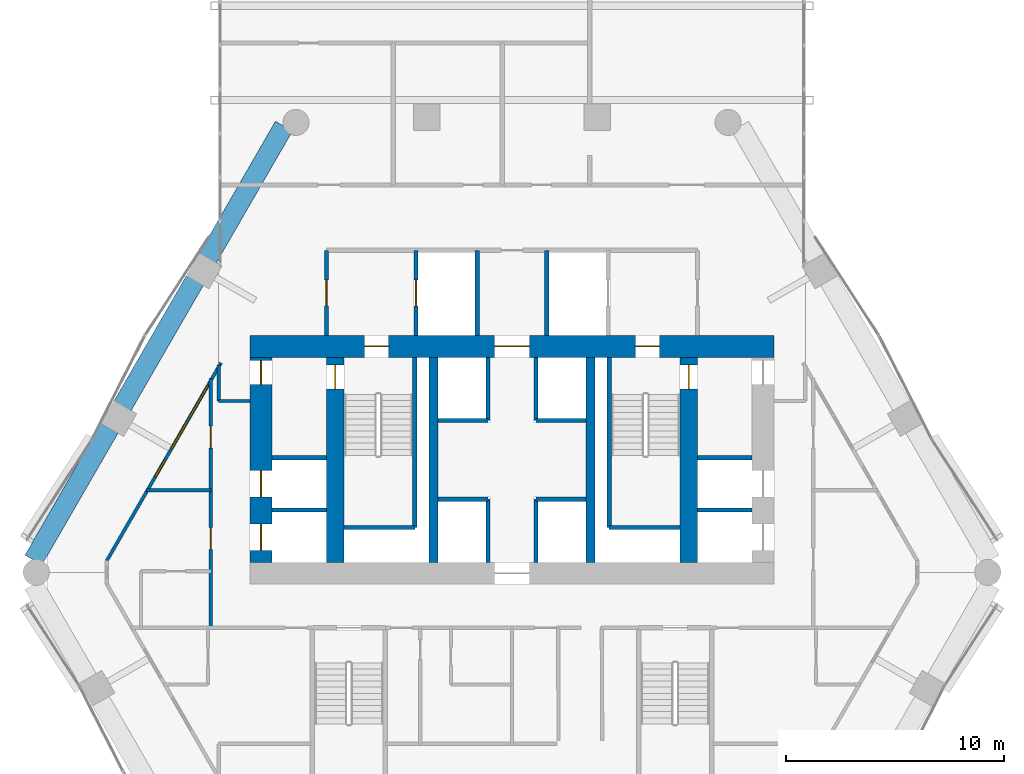
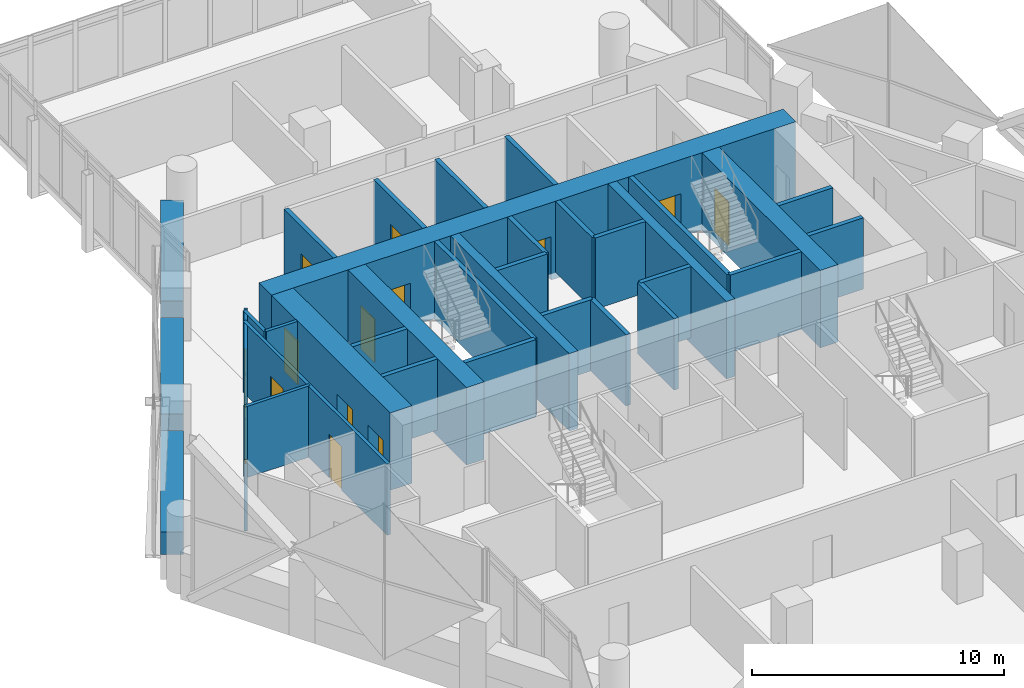
# One storey, part 29 of 36: 34 walls, 12 doors, 3 windows, 15 openings.
"""IFC4 building model written with IfcOpenShell, lengths in metres."""

from ifc_helpers import new_model, si_unit, direction, frame, frame_2d, origin, place, context, subcontext, project, spatial, rectangle, extrude, material, layer, layer_set, type_object, element, fill, save


model = new_model("IFC4")

# Units and contexts
model_context = context("Model", 3, precision=1e-05, world=origin(), true_north=direction((0.0, 1.0)))
body_context = subcontext(model_context, "Body", "Model", "MODEL_VIEW")
ifc_project = project(units=[si_unit("LENGTHUNIT", "METRE"), si_unit("AREAUNIT", "SQUARE_METRE"), si_unit("VOLUMEUNIT", "CUBIC_METRE"), si_unit("PLANEANGLEUNIT", "RADIAN"), si_unit("MASSUNIT", "GRAM", prefix="KILO")], contexts=[model_context])

# Site, building, storey
site_placement = place(None, origin())
site = spatial("IfcSite", under=ifc_project, at=site_placement, CompositionType="ELEMENT")
building_placement = place(site_placement, origin())
building = spatial("IfcBuilding", under=site, at=building_placement, Name="Ostrander Bayou Hotel Tower", CompositionType="ELEMENT")
storey_placement = place(building_placement, frame((0.0, 0.0, 138.5)))
storey = spatial("IfcBuildingStorey", under=building, at=storey_placement, Name="L34", CompositionType="ELEMENT", Elevation=138.5)

# Wall, openings, doors
ifc_material_1 = material(Name="Concrete f'c 70 MPa", Category="concrete")
ifc_layer_1 = layer(ifc_material_1, 1.0)
ifc_layer_set_1 = layer_set([ifc_layer_1], Name="CW4 core wall 1000 mm f'c 70 MPa")
wall_type_1 = type_object("IfcWallType", Name="CW4 core wall 1000 mm f'c 70 MPa", PredefinedType="SHEAR", material=ifc_layer_set_1)
wall_1_placement = place(storey_placement, frame((-12.0, 9.199951171875, -0.300048828125), z_axis=(0.0, 0.0, 1.0), x_axis=(1.0, 0.0, 0.0)))
wall_1 = element("IfcWall", 1, at=wall_1_placement, inside=storey, type_object=wall_type_1, Name="CW4 L34 N", PredefinedType="SHEAR", context=body_context, shape_type="SweptSolid", body=[
    extrude(rectangle(XDim=24.0, YDim=1.0, at=frame_2d((12.0, 0.0))), origin(), (0.0, 0.0, 1.0), 3.75),
])
opening_1_placement = place(wall_1_placement, frame((11.199951171875, 0.0, 0.0)))
opening_1 = element("IfcOpeningElement", 2, at=opening_1_placement, cuts=wall_1, Name="Opening T34-002", PredefinedType="OPENING", context=body_context, shape_type="SweptSolid", body=[
    extrude(rectangle(XDim=1.60009765625, YDim=2.10009765625, at=frame_2d((0.800048828125, 1.050048828125))), frame((0.0, 0.5, 0.0), z_axis=(0.0, -1.0, 0.0), x_axis=(1.0, 0.0, 0.0)), (0.0, 0.0, 1.0), 1.0),
])
opening_2_placement = place(wall_1_placement, frame((5.25, 0.0, 0.0)))
opening_2 = element("IfcOpeningElement", 3, at=opening_2_placement, cuts=wall_1, Name="Opening T34-003", PredefinedType="OPENING", context=body_context, shape_type="SweptSolid", body=[
    extrude(rectangle(XDim=1.10009765625, YDim=2.10009765625, at=frame_2d((0.550048828125, 1.050048828125))), frame((0.0, 0.5, 0.0), z_axis=(0.0, -1.0, 0.0), x_axis=(1.0, 0.0, 0.0)), (0.0, 0.0, 1.0), 1.0),
])
opening_3_placement = place(wall_1_placement, frame((17.64990234375, 0.0, 0.0)))
opening_3 = element("IfcOpeningElement", 4, at=opening_3_placement, cuts=wall_1, Name="Opening T34-005", PredefinedType="OPENING", context=body_context, shape_type="SweptSolid", body=[
    extrude(rectangle(XDim=1.10009765625, YDim=2.10009765625, at=frame_2d((0.550048828125, 1.050048828125))), frame((0.0, 0.5, 0.0), z_axis=(0.0, -1.0, 0.0), x_axis=(1.0, 0.0, 0.0)), (0.0, 0.0, 1.0), 1.0),
])
ifc_material_2 = material(Name="Timber door leaf", Category="wood")
door_type_1 = type_object("IfcDoorType", Name="D13 double door 1600 x 2100 mm, 1 hour", OperationType="SINGLE_SWING_LEFT", PredefinedType="DOOR", material=ifc_material_2)
door_1_placement = place(opening_1_placement, origin())
door_1 = element("IfcDoor", 5, at=door_1_placement, inside=storey, type_object=door_type_1, Name="dr:L34:002", OperationType="DOUBLE_DOOR_SINGLE_SWING", OverallHeight=2.10009765625, OverallWidth=1.60009765625, PredefinedType="DOOR", context=body_context, shape_type="SweptSolid", body=[
    extrude(rectangle(XDim=1.60009765625, YDim=2.10009765625, at=frame_2d((0.800048828125, 1.050048828125))), frame((0.0, 0.02490234375, 0.0), z_axis=(0.0, -1.0, 0.0), x_axis=(1.0, 0.0, 0.0)), (0.0, 0.0, 1.0), 0.050048828125),
])
fill(opening_1, door_1)
ifc_material_3 = material(Name="Timber door leaf", Category="wood")
door_type_2 = type_object("IfcDoorType", Name="D5 stair door 1100 x 2100 mm, 90 minute", OperationType="SINGLE_SWING_LEFT", PredefinedType="DOOR", material=ifc_material_3)
door_2_placement = place(opening_2_placement, origin())
door_2 = element("IfcDoor", 6, at=door_2_placement, inside=storey, type_object=door_type_2, Name="dr:L34:003", OperationType="SINGLE_SWING_LEFT", OverallHeight=2.10009765625, OverallWidth=1.10009765625, PredefinedType="DOOR", context=body_context, shape_type="SweptSolid", body=[
    extrude(rectangle(XDim=1.10009765625, YDim=2.10009765625, at=frame_2d((0.550048828125, 1.050048828125))), frame((0.0, 0.02490234375, 0.0), z_axis=(0.0, -1.0, 0.0), x_axis=(1.0, 0.0, 0.0)), (0.0, 0.0, 1.0), 0.050048828125),
])
fill(opening_2, door_2)
door_3_placement = place(opening_3_placement, origin())
door_3 = element("IfcDoor", 7, at=door_3_placement, inside=storey, type_object=door_type_2, Name="dr:L34:005", OperationType="SINGLE_SWING_RIGHT", OverallHeight=2.10009765625, OverallWidth=1.10009765625, PredefinedType="DOOR", context=body_context, shape_type="SweptSolid", body=[
    extrude(rectangle(XDim=1.10009765625, YDim=2.10009765625, at=frame_2d((0.550048828125, 1.050048828125))), frame((0.0, 0.02490234375, 0.0), z_axis=(0.0, -1.0, 0.0), x_axis=(1.0, 0.0, 0.0)), (0.0, 0.0, 1.0), 0.050048828125),
])
fill(opening_3, door_3)

wall_2_placement = place(storey_placement, frame((-11.5, -0.699951171875, -0.300048828125), z_axis=(0.0, 0.0, 1.0), x_axis=(0.0, 1.0, 0.0)))
wall_2 = element("IfcWall", 8, at=wall_2_placement, inside=storey, type_object=wall_type_1, Name="CW4 L34 RW", PredefinedType="SHEAR", context=body_context, shape_type="SweptSolid", body=[
    extrude(rectangle(XDim=9.39990234375, YDim=1.0, at=frame_2d((4.699951171875, 0.0))), origin(), (0.0, 0.0, 1.0), 3.75),
])
opening_4_placement = place(wall_2_placement, frame((8.14990234375, 0.0, 0.0)))
opening_4 = element("IfcOpeningElement", 9, at=opening_4_placement, cuts=wall_2, Name="Opening T34-014", PredefinedType="OPENING", context=body_context, shape_type="SweptSolid", body=[
    extrude(rectangle(XDim=1.10009765625, YDim=2.10009765625, at=frame_2d((0.550048828125, 1.050048828125))), frame((0.0, 0.5, 0.0), z_axis=(0.0, -1.0, 0.0), x_axis=(1.0, 0.0, 0.0)), (0.0, 0.0, 1.0), 1.0),
])
opening_5_placement = place(wall_2_placement, frame((0.550048828125, 0.0, 0.0)))
opening_5 = element("IfcOpeningElement", 10, at=opening_5_placement, cuts=wall_2, Name="Opening T34-015", PredefinedType="OPENING", context=body_context, shape_type="SweptSolid", body=[
    extrude(rectangle(XDim=1.199951171875, YDim=2.10009765625, at=frame_2d((0.60009765625, 1.050048828125))), frame((0.0, 0.5, 0.0), z_axis=(0.0, -1.0, 0.0), x_axis=(1.0, 0.0, 0.0)), (0.0, 0.0, 1.0), 1.0),
])
opening_6_placement = place(wall_2_placement, frame((3.0, 0.0, 0.0)))
opening_6 = element("IfcOpeningElement", 11, at=opening_6_placement, cuts=wall_2, Name="Opening T34-016", PredefinedType="OPENING", context=body_context, shape_type="SweptSolid", body=[
    extrude(rectangle(XDim=1.199951171875, YDim=2.10009765625, at=frame_2d((0.60009765625, 1.050048828125))), frame((0.0, 0.5, 0.0), z_axis=(0.0, -1.0, 0.0), x_axis=(1.0, 0.0, 0.0)), (0.0, 0.0, 1.0), 1.0),
])
door_4_placement = place(opening_4_placement, origin())
door_4 = element("IfcDoor", 12, at=door_4_placement, inside=storey, type_object=door_type_2, Name="dr:L34:014", OperationType="SINGLE_SWING_LEFT", OverallHeight=2.10009765625, OverallWidth=1.10009765625, PredefinedType="DOOR", context=body_context, shape_type="SweptSolid", body=[
    extrude(rectangle(XDim=1.10009765625, YDim=2.10009765625, at=frame_2d((0.550048828125, 1.050048828125))), frame((0.0, 0.02490234375, 0.0), z_axis=(0.0, -1.0, 0.0), x_axis=(1.0, 0.0, 0.0)), (0.0, 0.0, 1.0), 0.050048828125),
])
fill(opening_4, door_4)
ifc_material_4 = material(Name="Stainless steel sliding door", Category="steel")
door_type_3 = type_object("IfcDoorType", Name="LD1 lift landing door 1200 x 2100 mm", OperationType="SINGLE_SWING_LEFT", PredefinedType="DOOR", material=ifc_material_4)
door_5_placement = place(opening_5_placement, origin())
door_5 = element("IfcDoor", 13, at=door_5_placement, inside=storey, type_object=door_type_3, Name="dr:L34:015", OperationType="SLIDING_TO_LEFT", OverallHeight=2.10009765625, OverallWidth=1.199951171875, PredefinedType="DOOR", context=body_context, shape_type="SweptSolid", body=[
    extrude(rectangle(XDim=1.199951171875, YDim=2.10009765625, at=frame_2d((0.60009765625, 1.050048828125))), frame((0.0, 0.02490234375, 0.0), z_axis=(0.0, -1.0, 0.0), x_axis=(1.0, 0.0, 0.0)), (0.0, 0.0, 1.0), 0.050048828125),
])
fill(opening_5, door_5)
door_6_placement = place(opening_6_placement, origin())
door_6 = element("IfcDoor", 14, at=door_6_placement, inside=storey, type_object=door_type_3, Name="dr:L34:016", OperationType="SLIDING_TO_LEFT", OverallHeight=2.10009765625, OverallWidth=1.199951171875, PredefinedType="DOOR", context=body_context, shape_type="SweptSolid", body=[
    extrude(rectangle(XDim=1.199951171875, YDim=2.10009765625, at=frame_2d((0.60009765625, 1.050048828125))), frame((0.0, 0.02490234375, 0.0), z_axis=(0.0, -1.0, 0.0), x_axis=(1.0, 0.0, 0.0)), (0.0, 0.0, 1.0), 0.050048828125),
])
fill(opening_6, door_6)

# Wall, opening, door
ifc_material_5 = material(Name="Concrete f'c 70 MPa", Category="concrete")
ifc_layer_2 = layer(ifc_material_5, 0.800048828125)
ifc_layer_set_2 = layer_set([ifc_layer_2], Name="CW5 core spine wall 800 mm f'c 70 MPa")
wall_type_2 = type_object("IfcWallType", Name="CW5 core spine wall 800 mm f'c 70 MPa", PredefinedType="SHEAR", material=ifc_layer_set_2)
wall_3_placement = place(storey_placement, frame((-8.10009765625, -0.699951171875, -0.300048828125), z_axis=(0.0, 0.0, 1.0), x_axis=(0.0, 1.0, 0.0)))
wall_3 = element("IfcWall", 15, at=wall_3_placement, inside=storey, type_object=wall_type_2, Name="CW5 L34 W", PredefinedType="SHEAR", context=body_context, shape_type="SweptSolid", body=[
    extrude(rectangle(XDim=9.39990234375, YDim=0.800048828125, at=frame_2d((4.699951171875, 0.0))), origin(), (0.0, 0.0, 1.0), 3.75),
])
opening_7_placement = place(wall_3_placement, frame((7.949951171875, 0.0, 0.0)))
opening_7 = element("IfcOpeningElement", 16, at=opening_7_placement, cuts=wall_3, Name="Opening T34-004", PredefinedType="OPENING", context=body_context, shape_type="SweptSolid", body=[
    extrude(rectangle(XDim=1.10009765625, YDim=2.10009765625, at=frame_2d((0.550048828125, 1.050048828125))), frame((0.0, 0.39990234375, 0.0), z_axis=(0.0, -1.0, 0.0), x_axis=(1.0, 0.0, 0.0)), (0.0, 0.0, 1.0), 0.800048828125),
])
door_7_placement = place(opening_7_placement, origin())
door_7 = element("IfcDoor", 17, at=door_7_placement, inside=storey, type_object=door_type_2, Name="dr:L34:004", OperationType="SINGLE_SWING_RIGHT", OverallHeight=2.10009765625, OverallWidth=1.10009765625, PredefinedType="DOOR", context=body_context, shape_type="SweptSolid", body=[
    extrude(rectangle(XDim=1.10009765625, YDim=2.10009765625, at=frame_2d((0.550048828125, 1.050048828125))), frame((0.0, 0.02490234375, 0.0), z_axis=(0.0, -1.0, 0.0), x_axis=(1.0, 0.0, 0.0)), (0.0, 0.0, 1.0), 0.050048828125),
])
fill(opening_7, door_7)

wall_4_placement = place(storey_placement, frame((8.10009765625, -0.699951171875, -0.300048828125), z_axis=(0.0, 0.0, 1.0), x_axis=(0.0, 1.0, 0.0)))
wall_4 = element("IfcWall", 18, at=wall_4_placement, inside=storey, type_object=wall_type_2, Name="CW5 L34 E", PredefinedType="SHEAR", context=body_context, shape_type="SweptSolid", body=[
    extrude(rectangle(XDim=9.39990234375, YDim=0.800048828125, at=frame_2d((4.699951171875, 0.0))), origin(), (0.0, 0.0, 1.0), 3.75),
])
opening_8_placement = place(wall_4_placement, frame((7.949951171875, 0.0, 0.0)))
opening_8 = element("IfcOpeningElement", 19, at=opening_8_placement, cuts=wall_4, Name="Opening T34-006", PredefinedType="OPENING", context=body_context, shape_type="SweptSolid", body=[
    extrude(rectangle(XDim=1.10009765625, YDim=2.10009765625, at=frame_2d((0.550048828125, 1.050048828125))), frame((0.0, 0.39990234375, 0.0), z_axis=(0.0, -1.0, 0.0), x_axis=(1.0, 0.0, 0.0)), (0.0, 0.0, 1.0), 0.800048828125),
])
door_8_placement = place(opening_8_placement, origin())
door_8 = element("IfcDoor", 20, at=door_8_placement, inside=storey, type_object=door_type_2, Name="dr:L34:006", OperationType="SINGLE_SWING_LEFT", OverallHeight=2.10009765625, OverallWidth=1.10009765625, PredefinedType="DOOR", context=body_context, shape_type="SweptSolid", body=[
    extrude(rectangle(XDim=1.10009765625, YDim=2.10009765625, at=frame_2d((0.550048828125, 1.050048828125))), frame((0.0, 0.02490234375, 0.0), z_axis=(0.0, -1.0, 0.0), x_axis=(1.0, 0.0, 0.0)), (0.0, 0.0, 1.0), 0.050048828125),
])
fill(opening_8, door_8)

# Walls
ifc_material_6 = material(Name="Concrete f'c 70 MPa", Category="concrete")
ifc_layer_3 = layer(ifc_material_6, 0.39990234375)
ifc_layer_set_3 = layer_set([ifc_layer_3], Name="CW6 core bank wall 400 mm f'c 70 MPa")
wall_type_3 = type_object("IfcWallType", Name="CW6 core bank wall 400 mm f'c 70 MPa", PredefinedType="SHEAR", material=ifc_layer_set_3)
for number, where, z_axis, x_axis, name in (
    (21, (-3.60009765625, -0.699951171875, -0.300048828125), (0.0, 0.0, 1.0), (0.0, 1.0, 0.0), "CW6 L34 CW"),
    (22, (3.60009765625, -0.699951171875, -0.300048828125), (0.0, 0.0, 1.0), (0.0, 1.0, 0.0), "CW6 L34 CE"),
):
    element("IfcWall", number, at=place(storey_placement, frame(where, z_axis=z_axis, x_axis=x_axis)), inside=storey, type_object=wall_type_3, Name=name, PredefinedType="SHEAR", context=body_context, shape_type="SweptSolid", body=[
        extrude(rectangle(XDim=9.39990234375, YDim=0.39990234375, at=frame_2d((4.699951171875, 0.0))), origin(), (0.0, 0.0, 1.0), 3.75),
    ])

# Wall, openings, windows
ifc_material_7 = material(Name="Aluminium framed insulated wall", Category="aluminium")
ifc_layer_4 = layer(ifc_material_7, 0.14990234375)
ifc_layer_set_4 = layer_set([ifc_layer_4], Name="GW1 glass-line wall 150 mm")
wall_type_4 = type_object("IfcWallType", Name="GW1 glass-line wall 150 mm", PredefinedType="SOLIDWALL", material=ifc_layer_set_4)
wall_5_placement = place(storey_placement, frame((-13.333984375, 8.44189453125, 0.0), z_axis=(0.0, 0.0, 1.0), x_axis=(-0.499994317138, -0.866028684761, 0.0)))
wall_5 = element("IfcWall", 23, at=wall_5_placement, inside=storey, type_object=wall_type_4, Name="GW1 L34 NW 1", PredefinedType="SOLIDWALL", context=body_context, shape_type="SweptSolid", body=[
    extrude(rectangle(XDim=10.46826171875, YDim=0.14990234375, at=frame_2d((5.234130859375, 0.0))), origin(), (0.0, 0.0, 1.0), 3.449951171875),
])
opening_9_placement = place(wall_5_placement, frame((1.2041015625, 0.0, 0.14990234375)))
opening_9 = element("IfcOpeningElement", 24, at=opening_9_placement, cuts=wall_5, Name="Opening W8", PredefinedType="OPENING", context=body_context, shape_type="SweptSolid", body=[
    extrude(rectangle(XDim=1.699951171875, YDim=2.199951171875, at=frame_2d((0.85009765625, 1.10009765625))), frame((0.0, 0.074951171875, 0.0), z_axis=(0.0, -1.0, 0.0), x_axis=(1.0, 0.0, 0.0)), (0.0, 0.0, 1.0), 0.14990234375),
])
opening_10_placement = place(wall_5_placement, frame((3.0439453125, 0.0, 0.14990234375)))
opening_10 = element("IfcOpeningElement", 25, at=opening_10_placement, cuts=wall_5, Name="Opening W12", PredefinedType="OPENING", context=body_context, shape_type="SweptSolid", body=[
    extrude(rectangle(XDim=1.5, YDim=2.199951171875, at=frame_2d((0.75, 1.10009765625))), frame((0.0, 0.074951171875, 0.0), z_axis=(0.0, -1.0, 0.0), x_axis=(1.0, 0.0, 0.0)), (0.0, 0.0, 1.0), 0.14990234375),
])
opening_11_placement = place(wall_5_placement, frame((5.14404296875, 0.0, 0.14990234375)))
opening_11 = element("IfcOpeningElement", 26, at=opening_11_placement, cuts=wall_5, Name="Opening W16", PredefinedType="OPENING", context=body_context, shape_type="SweptSolid", body=[
    extrude(rectangle(XDim=0.89990234375, YDim=2.199951171875, at=frame_2d((0.449951171875, 1.10009765625))), frame((0.0, 0.074951171875, 0.0), z_axis=(0.0, -1.0, 0.0), x_axis=(1.0, 0.0, 0.0)), (0.0, 0.0, 1.0), 0.14990234375),
])
ifc_material_8 = material(Name="Aluminium and clear glass", Category="aluminium")
window_type_1 = type_object("IfcWindowType", Name="W12 fixed window 1500 mm, bath bay, zone 2", PartitioningType="SINGLE_PANEL", PredefinedType="WINDOW", material=ifc_material_8)
window_1_placement = place(opening_10_placement, origin())
window_1 = element("IfcWindow", 27, at=window_1_placement, inside=storey, type_object=window_type_1, Name="W12 L34 NW 3", OverallHeight=2.199951171875, OverallWidth=1.5, PartitioningType="SINGLE_PANEL", PredefinedType="WINDOW", context=body_context, shape_type="SweptSolid", body=[
    extrude(rectangle(XDim=1.5, YDim=2.199951171875, at=frame_2d((0.75, 1.10009765625))), frame((0.0, 0.030029296875, 0.0), z_axis=(0.0, -1.0, 0.0), x_axis=(1.0, 0.0, 0.0)), (0.0, 0.0, 1.0), 0.06005859375),
])
fill(opening_10, window_1)
ifc_material_9 = material(Name="Aluminium and clear glass", Category="aluminium")
window_type_2 = type_object("IfcWindowType", Name="W16 window 900 mm, zone 2", PartitioningType="SINGLE_PANEL", PredefinedType="WINDOW", material=ifc_material_9)
window_2_placement = place(opening_11_placement, origin())
window_2 = element("IfcWindow", 28, at=window_2_placement, inside=storey, type_object=window_type_2, Name="W16 L34 NW 4", OverallHeight=2.199951171875, OverallWidth=0.89990234375, PartitioningType="SINGLE_PANEL", PredefinedType="WINDOW", context=body_context, shape_type="SweptSolid", body=[
    extrude(rectangle(XDim=0.89990234375, YDim=2.199951171875, at=frame_2d((0.449951171875, 1.10009765625))), frame((0.0, 0.030029296875, 0.0), z_axis=(0.0, -1.0, 0.0), x_axis=(1.0, 0.0, 0.0)), (0.0, 0.0, 1.0), 0.06005859375),
])
fill(opening_11, window_2)
ifc_material_10 = material(Name="Aluminium and clear glass", Category="aluminium")
window_type_3 = type_object("IfcWindowType", Name="W8 fixed window 1700 mm, bar storeys, zone 2", PartitioningType="SINGLE_PANEL", PredefinedType="WINDOW", material=ifc_material_10)
window_3_placement = place(opening_9_placement, origin())
window_3 = element("IfcWindow", 29, at=window_3_placement, inside=storey, type_object=window_type_3, Name="W8 L34 NW 3", OverallHeight=2.199951171875, OverallWidth=1.699951171875, PartitioningType="SINGLE_PANEL", PredefinedType="WINDOW", context=body_context, shape_type="SweptSolid", body=[
    extrude(rectangle(XDim=1.699951171875, YDim=2.199951171875, at=frame_2d((0.85009765625, 1.10009765625))), frame((0.0, 0.030029296875, 0.0), z_axis=(0.0, -1.0, 0.0), x_axis=(1.0, 0.0, 0.0)), (0.0, 0.0, 1.0), 0.06005859375),
])
fill(opening_9, window_3)

# Walls
ifc_material_11 = material(Name="Concrete f'c 40 MPa", Category="concrete")
ifc_layer_5 = layer(ifc_material_11, 0.89990234375)
ifc_layer_set_5 = layer_set([ifc_layer_5], Name="PA1 stone-faced parapet 900 mm")
wall_type_5 = type_object("IfcWallType", Name="PA1 stone-faced parapet 900 mm", PredefinedType="PARAPET", material=ifc_layer_set_5)
wall_6_placement = place(storey_placement, frame((-10.450439453125, 19.286376953125, 0.0), z_axis=(0.0, 0.0, 1.0), x_axis=(-0.499991127072, -0.866030526511, 0.0)))
element("IfcWall", 30, at=wall_6_placement, inside=storey, type_object=wall_type_5, Name="PA1 L34 NW-1", PredefinedType="PARAPET", context=body_context, shape_type="SweptSolid", body=[
    extrude(rectangle(XDim=7.000732421875, YDim=0.89990234375, at=frame_2d((3.50048828125, 0.0))), origin(), (0.0, 0.0, 1.0), 1.10009765625),
])
wall_7_placement = place(storey_placement, frame((-14.520751953125, 12.236572265625, 0.0), z_axis=(0.0, 0.0, 1.0), x_axis=(-0.499983182885, -0.866035112932, 0.0)))
element("IfcWall", 31, at=wall_7_placement, inside=storey, type_object=wall_type_5, Name="PA1 L34 NW-2", PredefinedType="PARAPET", context=body_context, shape_type="SweptSolid", body=[
    extrude(rectangle(XDim=6.673583984375, YDim=0.89990234375, at=frame_2d((3.3369140625, 0.0))), origin(), (0.0, 0.0, 1.0), 1.10009765625),
])
wall_8_placement = place(storey_placement, frame((-18.427490234375, 5.4697265625, 0.0), z_axis=(0.0, 0.0, 1.0), x_axis=(-0.499991127072, -0.866030526511, 0.0)))
element("IfcWall", 32, at=wall_8_placement, inside=storey, type_object=wall_type_5, Name="PA1 L34 NW-3", PredefinedType="PARAPET", context=body_context, shape_type="SweptSolid", body=[
    extrude(rectangle(XDim=7.000732421875, YDim=0.89990234375, at=frame_2d((3.50048828125, 0.0))), origin(), (0.0, 0.0, 1.0), 1.10009765625),
])

# Wall, opening, door
ifc_material_12 = material(Name="Masonry block", Category="masonry")
ifc_layer_6 = layer(ifc_material_12, 0.199951171875)
ifc_layer_set_6 = layer_set([ifc_layer_6], Name="PT5 stair enclosure wall 200 mm masonry, 2 hour")
wall_type_6 = type_object("IfcWallType", Name="PT5 stair enclosure wall 200 mm masonry, 2 hour", PredefinedType="PARTITIONING", material=ifc_layer_set_6)
wall_9_placement = place(storey_placement, frame((-8.5, 9.699951171875, 0.0), z_axis=(0.0, 0.0, 1.0), x_axis=(0.0, 1.0, 0.0)))
wall_9 = element("IfcWall", 33, at=wall_9_placement, inside=storey, type_object=wall_type_6, Name="cs:L34:022", PredefinedType="PARTITIONING", context=body_context, shape_type="SweptSolid", body=[
    extrude(rectangle(XDim=3.900146484375, YDim=0.199951171875, at=frame_2d((1.9501953125, 0.0))), origin(), (0.0, 0.0, 1.0), 3.449951171875),
])
opening_12_placement = place(wall_9_placement, frame((1.35009765625, 0.0, 0.0)))
opening_12 = element("IfcOpeningElement", 34, at=opening_12_placement, cuts=wall_9, Name="Opening T34-010", PredefinedType="OPENING", context=body_context, shape_type="SweptSolid", body=[
    extrude(rectangle(XDim=1.199951171875, YDim=2.10009765625, at=frame_2d((0.60009765625, 1.050048828125))), frame((0.0, 0.10009765625, 0.0), z_axis=(0.0, -1.0, 0.0), x_axis=(1.0, 0.0, 0.0)), (0.0, 0.0, 1.0), 0.199951171875),
])
ifc_material_13 = material(Name="Timber door leaf", Category="wood")
door_type_4 = type_object("IfcDoorType", Name="D7 lobby door 1200 x 2100 mm, 1 hour", OperationType="SINGLE_SWING_LEFT", PredefinedType="DOOR", material=ifc_material_13)
door_9_placement = place(opening_12_placement, origin())
door_9 = element("IfcDoor", 35, at=door_9_placement, inside=storey, type_object=door_type_4, Name="dr:L34:010", OperationType="SINGLE_SWING_LEFT", OverallHeight=2.10009765625, OverallWidth=1.199951171875, PredefinedType="DOOR", context=body_context, shape_type="SweptSolid", body=[
    extrude(rectangle(XDim=1.199951171875, YDim=2.10009765625, at=frame_2d((0.60009765625, 1.050048828125))), frame((0.0, 0.02490234375, 0.0), z_axis=(0.0, -1.0, 0.0), x_axis=(1.0, 0.0, 0.0)), (0.0, 0.0, 1.0), 0.050048828125),
])
fill(opening_12, door_9)

wall_10_placement = place(storey_placement, frame((-4.39990234375, 9.699951171875, 0.0), z_axis=(0.0, 0.0, 1.0), x_axis=(0.0, 1.0, 0.0)))
wall_10 = element("IfcWall", 36, at=wall_10_placement, inside=storey, type_object=wall_type_6, Name="cs:L34:024", PredefinedType="PARTITIONING", context=body_context, shape_type="SweptSolid", body=[
    extrude(rectangle(XDim=3.900146484375, YDim=0.199951171875, at=frame_2d((1.9501953125, 0.0))), origin(), (0.0, 0.0, 1.0), 3.449951171875),
])
opening_13_placement = place(wall_10_placement, frame((1.35009765625, 0.0, 0.0)))
opening_13 = element("IfcOpeningElement", 37, at=opening_13_placement, cuts=wall_10, Name="Opening T34-009", PredefinedType="OPENING", context=body_context, shape_type="SweptSolid", body=[
    extrude(rectangle(XDim=1.199951171875, YDim=2.10009765625, at=frame_2d((0.60009765625, 1.050048828125))), frame((0.0, 0.10009765625, 0.0), z_axis=(0.0, -1.0, 0.0), x_axis=(1.0, 0.0, 0.0)), (0.0, 0.0, 1.0), 0.199951171875),
])
door_10_placement = place(opening_13_placement, origin())
door_10 = element("IfcDoor", 38, at=door_10_placement, inside=storey, type_object=door_type_3, Name="dr:L34:009", OperationType="SLIDING_TO_LEFT", OverallHeight=2.10009765625, OverallWidth=1.199951171875, PredefinedType="DOOR", context=body_context, shape_type="SweptSolid", body=[
    extrude(rectangle(XDim=1.199951171875, YDim=2.10009765625, at=frame_2d((0.60009765625, 1.050048828125))), frame((0.0, 0.02490234375, 0.0), z_axis=(0.0, -1.0, 0.0), x_axis=(1.0, 0.0, 0.0)), (0.0, 0.0, 1.0), 0.050048828125),
])
fill(opening_13, door_10)

# Walls
ifc_material_14 = material(Name="Masonry block", Category="masonry")
ifc_layer_7 = layer(ifc_material_14, 0.199951171875)
ifc_layer_set_7 = layer_set([ifc_layer_7], Name="PT6 lift shaft wall 200 mm masonry, 2 hour")
wall_type_7 = type_object("IfcWallType", Name="PT6 lift shaft wall 200 mm masonry, 2 hour", PredefinedType="PARTITIONING", material=ifc_layer_set_7)
for number, where, z_axis, x_axis, name in (
    (39, (-3.39990234375, 2.199951171875, 0.0), (0.0, 0.0, 1.0), (1.0, 0.0, 0.0), "cs:L34:001"),
    (40, (-3.39990234375, 5.800048828125, 0.0), (0.0, 0.0, 1.0), (1.0, 0.0, 0.0), "cs:L34:002"),
    (41, (1.10009765625, 2.199951171875, 0.0), (0.0, 0.0, 1.0), (1.0, 0.0, 0.0), "cs:L34:003"),
    (42, (1.10009765625, 5.800048828125, 0.0), (0.0, 0.0, 1.0), (1.0, 0.0, 0.0), "cs:L34:004"),
):
    element("IfcWall", number, at=place(storey_placement, frame(where, z_axis=z_axis, x_axis=x_axis)), inside=storey, type_object=wall_type_7, Name=name, PredefinedType="PARTITIONING", context=body_context, shape_type="SweptSolid", body=[
        extrude(rectangle(XDim=2.2998046875, YDim=0.199951171875, at=frame_2d((1.14990234375, 0.0))), origin(), (0.0, 0.0, 1.0), 3.449951171875),
    ])
for number, where, z_axis, x_axis, name in (
    (43, (-1.10009765625, -0.699951171875, 0.0), (0.0, 0.0, 1.0), (0.0, 1.0, 0.0), "cs:L34:005"),
    (44, (1.10009765625, -0.699951171875, 0.0), (0.0, 0.0, 1.0), (0.0, 1.0, 0.0), "cs:L34:006"),
    (45, (-1.10009765625, 5.800048828125, 0.0), (0.0, 0.0, 1.0), (0.0, 1.0, 0.0), "cs:L34:007"),
    (46, (1.10009765625, 5.800048828125, 0.0), (0.0, 0.0, 1.0), (0.0, 1.0, 0.0), "cs:L34:008"),
):
    element("IfcWall", number, at=place(storey_placement, frame(where, z_axis=z_axis, x_axis=x_axis)), inside=storey, type_object=wall_type_7, Name=name, PredefinedType="PARTITIONING", context=body_context, shape_type="SweptSolid", body=[
        extrude(rectangle(XDim=2.89990234375, YDim=0.199951171875, at=frame_2d((1.449951171875, 0.0))), origin(), (0.0, 0.0, 1.0), 3.449951171875),
    ])
for number, where, z_axis, x_axis, name in (
    (47, (-1.60009765625, 9.699951171875, 0.0), (0.0, 0.0, 1.0), (0.0, 1.0, 0.0), "cs:L34:026"),
    (48, (1.60009765625, 9.699951171875, 0.0), (0.0, 0.0, 1.0), (0.0, 1.0, 0.0), "cs:L34:027"),
):
    element("IfcWall", number, at=place(storey_placement, frame(where, z_axis=z_axis, x_axis=x_axis)), inside=storey, type_object=wall_type_7, Name=name, PredefinedType="PARTITIONING", context=body_context, shape_type="SweptSolid", body=[
        extrude(rectangle(XDim=3.900146484375, YDim=0.199951171875, at=frame_2d((1.9501953125, 0.0))), origin(), (0.0, 0.0, 1.0), 3.449951171875),
    ])
for number, where, z_axis, x_axis, name in (
    (49, (-11.0, 1.699951171875, 0.0), (0.0, 0.0, 1.0), (1.0, 0.0, 0.0), "cs:L34:028"),
    (50, (-11.0, 4.10009765625, 0.0), (0.0, 0.0, 1.0), (1.0, 0.0, 0.0), "cs:L34:029"),
    (51, (8.5, 1.699951171875, 0.0), (0.0, 0.0, 1.0), (1.0, 0.0, 0.0), "cs:L34:030"),
    (52, (8.5, 4.10009765625, 0.0), (0.0, 0.0, 1.0), (1.0, 0.0, 0.0), "cs:L34:031"),
):
    element("IfcWall", number, at=place(storey_placement, frame(where, z_axis=z_axis, x_axis=x_axis)), inside=storey, type_object=wall_type_7, Name=name, PredefinedType="PARTITIONING", context=body_context, shape_type="SweptSolid", body=[
        extrude(rectangle(XDim=2.5, YDim=0.199951171875, at=frame_2d((1.25, 0.0))), origin(), (0.0, 0.0, 1.0), 3.449951171875),
    ])
ifc_material_15 = material(Name="Gypsum board partition", Category="finish")
ifc_layer_8 = layer(ifc_material_15, 0.14990234375)
ifc_layer_set_8 = layer_set([ifc_layer_8], Name="PT8 service band wall 150 mm, 1 hour")
wall_type_8 = type_object("IfcWallType", Name="PT8 service band wall 150 mm, 1 hour", PredefinedType="PARTITIONING", material=ifc_layer_set_8)
wall_11_placement = place(storey_placement, frame((-16.759033203125, 2.60009765625, 0.0), z_axis=(0.0, 0.0, 1.0), x_axis=(1.0, 0.0, 0.0)))
element("IfcWall", 53, at=wall_11_placement, inside=storey, type_object=wall_type_8, Name="gw:L34:012", PredefinedType="PARTITIONING", context=body_context, shape_type="SweptSolid", body=[
    extrude(rectangle(XDim=2.958984375, YDim=0.14990234375, at=frame_2d((1.4794921875, 0.0))), origin(), (0.0, 0.0, 1.0), 3.449951171875),
])
wall_12_placement = place(storey_placement, frame((-13.43994140625, 6.695068359375, 0.0), z_axis=(0.0, 0.0, 1.0), x_axis=(1.0, 0.0, 0.0)))
element("IfcWall", 54, at=wall_12_placement, inside=storey, type_object=wall_type_8, Name="gw:L34:014", PredefinedType="PARTITIONING", context=body_context, shape_type="SweptSolid", body=[
    extrude(rectangle(XDim=1.429931640625, YDim=0.14990234375, at=frame_2d((0.71484375, 0.0))), origin(), (0.0, 0.0, 1.0), 3.449951171875),
])
wall_13_placement = place(storey_placement, frame((-13.43994140625, 6.695068359375, 0.0), z_axis=(0.0, 0.0, 1.0), x_axis=(0.0, 1.0, 0.0)))
element("IfcWall", 55, at=wall_13_placement, inside=storey, type_object=wall_type_8, Name="gw:L34:024", PredefinedType="PARTITIONING", context=body_context, shape_type="SweptSolid", body=[
    extrude(rectangle(XDim=1.65283203125, YDim=0.14990234375, at=frame_2d((0.826416015625, 0.0))), origin(), (0.0, 0.0, 1.0), 3.449951171875),
])

# Wall, openings, doors
wall_14_placement = place(storey_placement, frame((-13.800048828125, -3.699951171875, 0.0), z_axis=(0.0, 0.0, 1.0), x_axis=(0.0, 1.0, 0.0)))
wall_14 = element("IfcWall", 56, at=wall_14_placement, inside=storey, type_object=wall_type_8, Name="gw:L34:025", PredefinedType="PARTITIONING", context=body_context, shape_type="SweptSolid", body=[
    extrude(rectangle(XDim=11.425048828125, YDim=0.14990234375, at=frame_2d((5.71240234375, 0.0))), origin(), (0.0, 0.0, 1.0), 3.449951171875),
])
opening_14_placement = place(wall_14_placement, frame((3.594970703125, 0.0, 0.0)))
opening_14 = element("IfcOpeningElement", 57, at=opening_14_placement, cuts=wall_14, Name="Opening T34-408", PredefinedType="OPENING", context=body_context, shape_type="SweptSolid", body=[
    extrude(rectangle(XDim=1.0, YDim=2.10009765625, at=frame_2d((0.5, 1.050048828125))), frame((0.0, 0.074951171875, 0.0), z_axis=(0.0, -1.0, 0.0), x_axis=(1.0, 0.0, 0.0)), (0.0, 0.0, 1.0), 0.14990234375),
])
opening_15_placement = place(wall_14_placement, frame((8.239990234375, 0.0, 0.0)))
opening_15 = element("IfcOpeningElement", 58, at=opening_15_placement, cuts=wall_14, Name="Opening T34-410", PredefinedType="OPENING", context=body_context, shape_type="SweptSolid", body=[
    extrude(rectangle(XDim=1.0, YDim=2.10009765625, at=frame_2d((0.5, 1.050048828125))), frame((0.0, 0.074951171875, 0.0), z_axis=(0.0, -1.0, 0.0), x_axis=(1.0, 0.0, 0.0)), (0.0, 0.0, 1.0), 0.14990234375),
])
ifc_material_16 = material(Name="Timber door leaf", Category="wood")
door_type_5 = type_object("IfcDoorType", Name="D15 room door 1000 x 2100 mm", OperationType="SINGLE_SWING_LEFT", PredefinedType="DOOR", material=ifc_material_16)
door_11_placement = place(opening_14_placement, origin())
door_11 = element("IfcDoor", 59, at=door_11_placement, inside=storey, type_object=door_type_5, Name="dr:L34:408", OperationType="SINGLE_SWING_RIGHT", OverallHeight=2.10009765625, OverallWidth=1.0, PredefinedType="DOOR", context=body_context, shape_type="SweptSolid", body=[
    extrude(rectangle(XDim=1.0, YDim=2.10009765625, at=frame_2d((0.5, 1.050048828125))), frame((0.0, 0.02490234375, 0.0), z_axis=(0.0, -1.0, 0.0), x_axis=(1.0, 0.0, 0.0)), (0.0, 0.0, 1.0), 0.050048828125),
])
fill(opening_14, door_11)
ifc_material_17 = material(Name="Timber door leaf", Category="wood")
door_type_6 = type_object("IfcDoorType", Name="D9 service door 1000 x 2100 mm, 30 minute", OperationType="SINGLE_SWING_LEFT", PredefinedType="DOOR", material=ifc_material_17)
door_12_placement = place(opening_15_placement, origin())
door_12 = element("IfcDoor", 60, at=door_12_placement, inside=storey, type_object=door_type_6, Name="dr:L34:410", OperationType="SINGLE_SWING_LEFT", OverallHeight=2.10009765625, OverallWidth=1.0, PredefinedType="DOOR", context=body_context, shape_type="SweptSolid", body=[
    extrude(rectangle(XDim=1.0, YDim=2.10009765625, at=frame_2d((0.5, 1.050048828125))), frame((0.0, 0.02490234375, 0.0), z_axis=(0.0, -1.0, 0.0), x_axis=(1.0, 0.0, 0.0)), (0.0, 0.0, 1.0), 0.050048828125),
])
fill(opening_15, door_12)

# Walls
ifc_material_18 = material(Name="Concrete f'c 45 MPa", Category="concrete")
ifc_layer_9 = layer(ifc_material_18, 0.199951171875)
ifc_layer_set_9 = layer_set([ifc_layer_9], Name="SW5 stair enclosure wall 200 mm f'c 45 MPa")
wall_type_9 = type_object("IfcWallType", Name="SW5 stair enclosure wall 200 mm f'c 45 MPa", PredefinedType="SOLIDWALL", material=ifc_layer_set_9)
wall_15_placement = place(storey_placement, frame((-4.449951171875, 0.89990234375, -0.300048828125), z_axis=(0.0, 0.0, 1.0), x_axis=(0.0, 1.0, 0.0)))
element("IfcWall", 61, at=wall_15_placement, inside=storey, type_object=wall_type_9, Name="cs:L34:009", PredefinedType="SOLIDWALL", context=body_context, shape_type="SweptSolid", body=[
    extrude(rectangle(XDim=7.800048828125, YDim=0.199951171875, at=frame_2d((3.89990234375, 0.0))), origin(), (0.0, 0.0, 1.0), 3.75),
])
wall_16_placement = place(storey_placement, frame((-7.699951171875, 0.89990234375, -0.300048828125), z_axis=(0.0, 0.0, 1.0), x_axis=(1.0, 0.0, 0.0)))
element("IfcWall", 62, at=wall_16_placement, inside=storey, type_object=wall_type_9, Name="cs:L34:010", PredefinedType="SOLIDWALL", context=body_context, shape_type="SweptSolid", body=[
    extrude(rectangle(XDim=3.25, YDim=0.199951171875, at=frame_2d((1.625, 0.0))), origin(), (0.0, 0.0, 1.0), 3.75),
])
wall_17_placement = place(storey_placement, frame((4.449951171875, 0.89990234375, -0.300048828125), z_axis=(0.0, 0.0, 1.0), x_axis=(0.0, 1.0, 0.0)))
element("IfcWall", 63, at=wall_17_placement, inside=storey, type_object=wall_type_9, Name="cs:L34:011", PredefinedType="SOLIDWALL", context=body_context, shape_type="SweptSolid", body=[
    extrude(rectangle(XDim=7.800048828125, YDim=0.199951171875, at=frame_2d((3.89990234375, 0.0))), origin(), (0.0, 0.0, 1.0), 3.75),
])
wall_18_placement = place(storey_placement, frame((4.449951171875, 0.89990234375, -0.300048828125), z_axis=(0.0, 0.0, 1.0), x_axis=(1.0, 0.0, 0.0)))
element("IfcWall", 64, at=wall_18_placement, inside=storey, type_object=wall_type_9, Name="cs:L34:012", PredefinedType="SOLIDWALL", context=body_context, shape_type="SweptSolid", body=[
    extrude(rectangle(XDim=3.25, YDim=0.199951171875, at=frame_2d((1.625, 0.0))), origin(), (0.0, 0.0, 1.0), 3.75),
])

save(model, "model.ifc")
